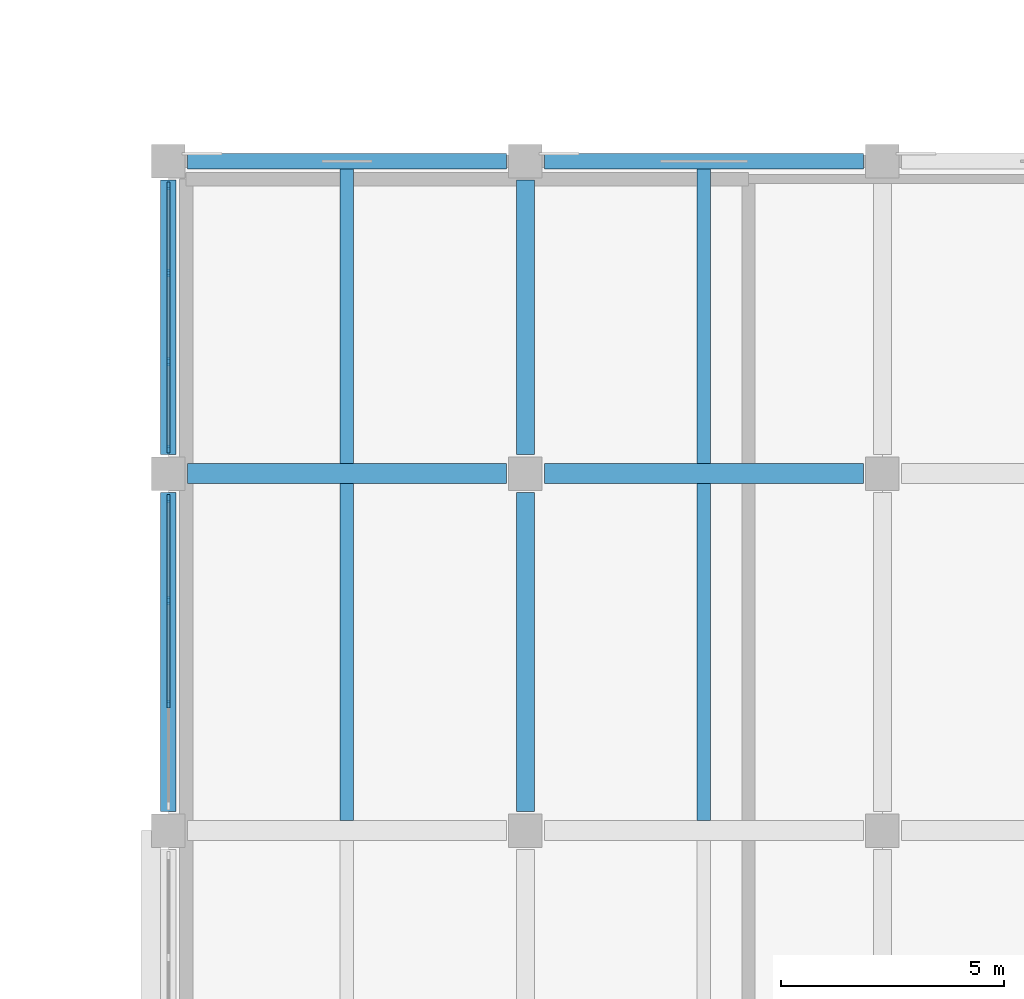
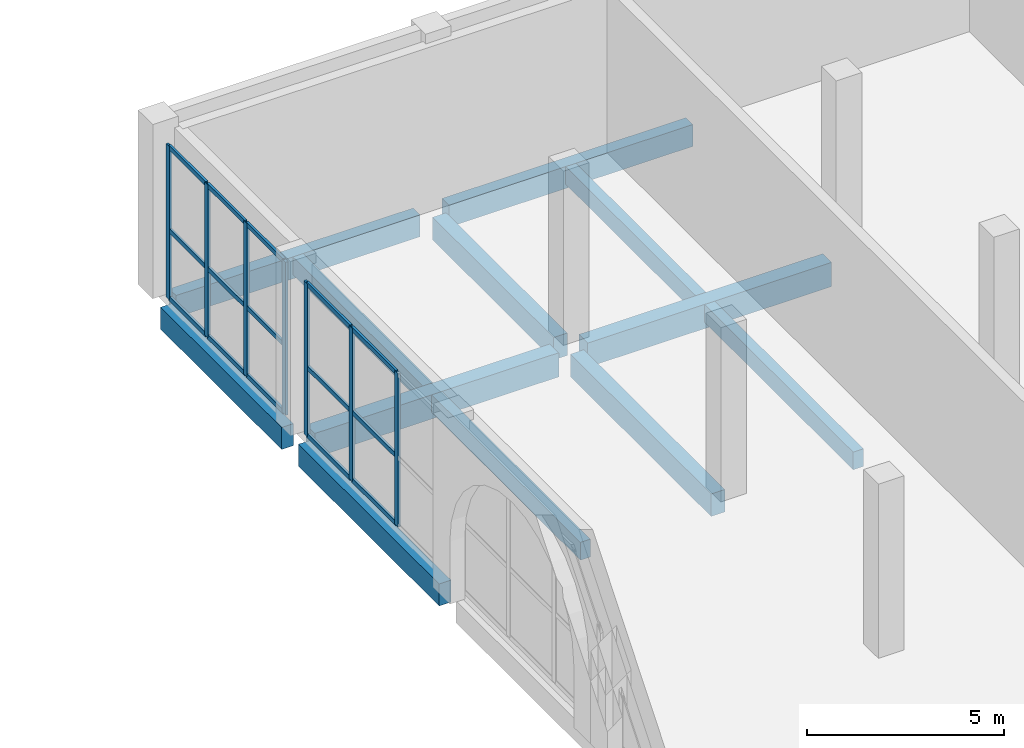
# One storey, part 11 of 40: 22 members, 12 beams, 2 elements without a shape of their own.
"""IFC4 building model written with IfcOpenShell, lengths in metres."""

from ifc_helpers import new_model, si_unit, direction, frame, origin, origin_2d, place, context, subcontext, project, spatial, rectangle, extrude, material, layer, layer_set, material_profile, profile_set, type_object, element, aggregate, save


model = new_model("IFC4")

# Units and contexts
model_context = context("Model", 3, precision=1e-05, world=origin(), true_north=direction((0.0, 1.0)))
body_context = subcontext(model_context, "Body", "Model", "MODEL_VIEW")
ifc_project = project(units=[si_unit("LENGTHUNIT", "METRE"), si_unit("AREAUNIT", "SQUARE_METRE"), si_unit("VOLUMEUNIT", "CUBIC_METRE"), si_unit("PLANEANGLEUNIT", "RADIAN"), si_unit("MASSUNIT", "GRAM", prefix="KILO")], contexts=[model_context])

# Site, building, storey
site_placement = place(None, origin())
site = spatial("IfcSite", under=ifc_project, at=site_placement, CompositionType="ELEMENT")
building_placement = place(site_placement, origin())
building = spatial("IfcBuilding", under=site, at=building_placement, Name="Qorikala Patio Media Centre", CompositionType="ELEMENT")
storey_placement = place(building_placement, origin())
storey = spatial("IfcBuildingStorey", under=building, at=storey_placement, Name="L00", CompositionType="ELEMENT", Elevation=0.0)

# Beams
ifc_material_1 = material(Name="Concrete C35/45", Category="concrete")
ifc_material_profile_1 = material_profile(ifc_material_1, rectangle(XDim=0.39990234375, YDim=0.699951171875, at=origin_2d()), Name="RC 400x700")
ifc_profile_set_1 = profile_set([ifc_material_profile_1], Name="Concrete C35/45")
beam_type_1 = type_object("IfcBeamType", Name="BM-G400X700", PredefinedType="BEAM", material=ifc_profile_set_1)
beam_1_placement = place(storey_placement, frame((59.0, 96.425048828125, -0.64990234375), z_axis=(0.0, 1.0, 0.0), x_axis=(-1.0, 0.0, 0.0)))
element("IfcBeam", 1, at=beam_1_placement, inside=storey, type_object=beam_type_1, Name="L00 Grid X=59 Beam 0243", PredefinedType="BEAM", context=body_context, shape_type="SweptSolid", body=[
    extrude(rectangle(XDim=0.39990234375, YDim=0.699951171875, at=origin_2d()), origin(), (0.0, 0.0, 1.0), 7.14990234375),
])
beam_2_placement = place(storey_placement, frame((59.0, 104.425048828125, -0.64990234375), z_axis=(0.0, 1.0, 0.0), x_axis=(-1.0, 0.0, 0.0)))
element("IfcBeam", 2, at=beam_2_placement, inside=storey, type_object=beam_type_1, Name="L00 Grid X=59 Beam 0244", PredefinedType="BEAM", context=body_context, shape_type="SweptSolid", body=[
    extrude(rectangle(XDim=0.39990234375, YDim=0.699951171875, at=origin_2d()), origin(), (0.0, 0.0, 1.0), 6.14990234375),
])
ifc_material_profile_2 = material_profile(ifc_material_1, rectangle(XDim=0.449951171875, YDim=0.75, at=origin_2d()), Name="RC 450x750")
ifc_profile_set_2 = profile_set([ifc_material_profile_2], Name="Concrete C35/45")
beam_type_2 = type_object("IfcBeamType", Name="BM-G450X750", PredefinedType="BEAM", material=ifc_profile_set_2)
for number, where, z_axis, x_axis, name in (
    (3, (51.425048828125, 104.0, -0.675048828125), (1.0, 0.0, 0.0), (0.0, 1.0, 0.0), "L00 Grid 104 Beam 0145"),
    (4, (59.425048828125, 104.0, -0.675048828125), (1.0, 0.0, 0.0), (0.0, 1.0, 0.0), "L00 Grid 104 Beam 0146"),
):
    element("IfcBeam", number, at=place(storey_placement, frame(where, z_axis=z_axis, x_axis=x_axis)), inside=storey, type_object=beam_type_2, Name=name, PredefinedType="BEAM", context=body_context, shape_type="SweptSolid", body=[
        extrude(rectangle(XDim=0.449951171875, YDim=0.75, at=origin_2d()), origin(), (0.0, 0.0, 1.0), 7.14990234375),
    ])

# Curtain wall, members
ifc_material_2 = material(Name="Bronze Anodised Aluminium and Low-E Glass", Category="aluminium")
ifc_layer_1 = layer(ifc_material_2, 0.159912109375)
ifc_layer_set_1 = layer_set([ifc_layer_1], Name="Bronze Anodised Aluminium and Low-E Glass")
curtain_wall_type_1 = type_object("IfcCurtainWallType", Name="CW-PAT-696X475", PredefinedType="USERDEFINED", material=ifc_layer_set_1)
curtain_wall_1_placement = place(storey_placement, origin())
curtain_wall_1 = element("IfcCurtainWall", 5, at=curtain_wall_1_placement, inside=storey, type_object=curtain_wall_type_1, Name="L00 Courtyard Curtain Wall 013", ObjectType="COURTYARD CURTAIN WALL", PredefinedType="USERDEFINED")
ifc_material_3 = material(Name="Bronze Anodised Aluminium", Category="aluminium")
ifc_material_profile_3 = material_profile(ifc_material_3, rectangle(XDim=0.070068359375, YDim=0.179931640625, at=origin_2d()), Name="ALU MULLION 70x180")
ifc_profile_set_3 = profile_set([ifc_material_profile_3], Name="Bronze Anodised Aluminium")
member_type_1 = type_object("IfcMemberType", Name="CWM-70X180", PredefinedType="MULLION", material=ifc_profile_set_3)
member_1_placement = place(storey_placement, frame((51.0, 98.840087890625, 0.0), z_axis=(0.0, 0.0, 1.0), x_axis=(-1.0, 0.0, 0.0)))
member_1 = element("IfcMember", 6, at=member_1_placement, type_object=member_type_1, Name="CWP696475 mullion 2", PredefinedType="MULLION", context=body_context, shape_type="SweptSolid", body=[
    extrude(rectangle(XDim=0.070068359375, YDim=0.179931640625, at=origin_2d()), origin(), (0.0, 0.0, 1.0), 4.75),
])
member_2_placement = place(storey_placement, frame((51.0, 101.159912109375, 0.0), z_axis=(0.0, 0.0, 1.0), x_axis=(-1.0, 0.0, 0.0)))
member_2 = element("IfcMember", 7, at=member_2_placement, type_object=member_type_1, Name="CWP696475 mullion 3", PredefinedType="MULLION", context=body_context, shape_type="SweptSolid", body=[
    extrude(rectangle(XDim=0.070068359375, YDim=0.179931640625, at=origin_2d()), origin(), (0.0, 0.0, 1.0), 4.75),
])
member_3_placement = place(storey_placement, frame((51.0, 103.445068359375, 0.0), z_axis=(0.0, 0.0, 1.0), x_axis=(-1.0, 0.0, 0.0)))
member_3 = element("IfcMember", 8, at=member_3_placement, type_object=member_type_1, Name="CWP696475 mullion 4", PredefinedType="MULLION", context=body_context, shape_type="SweptSolid", body=[
    extrude(rectangle(XDim=0.070068359375, YDim=0.179931640625, at=origin_2d()), origin(), (0.0, 0.0, 1.0), 4.75),
])

ifc_layer_2 = layer(ifc_material_2, 0.159912109375)
ifc_layer_set_2 = layer_set([ifc_layer_2], Name="Bronze Anodised Aluminium and Low-E Glass")
curtain_wall_type_2 = type_object("IfcCurtainWallType", Name="CW-PAT-596X475", PredefinedType="USERDEFINED", material=ifc_layer_set_2)
curtain_wall_2_placement = place(storey_placement, origin())
curtain_wall_2 = element("IfcCurtainWall", 9, at=curtain_wall_2_placement, inside=storey, type_object=curtain_wall_type_2, Name="L00 Courtyard Curtain Wall 014", ObjectType="COURTYARD CURTAIN WALL", PredefinedType="USERDEFINED")
member_4_placement = place(storey_placement, frame((51.0, 104.554931640625, 0.0), z_axis=(0.0, 0.0, 1.0), x_axis=(-1.0, 0.0, 0.0)))
member_4 = element("IfcMember", 10, at=member_4_placement, type_object=member_type_1, Name="CWP596475 mullion 1", PredefinedType="MULLION", context=body_context, shape_type="SweptSolid", body=[
    extrude(rectangle(XDim=0.070068359375, YDim=0.179931640625, at=origin_2d()), origin(), (0.0, 0.0, 1.0), 4.75),
])
member_5_placement = place(storey_placement, frame((51.0, 106.506591796875, 0.0), z_axis=(0.0, 0.0, 1.0), x_axis=(-1.0, 0.0, 0.0)))
member_5 = element("IfcMember", 11, at=member_5_placement, type_object=member_type_1, Name="CWP596475 mullion 2", PredefinedType="MULLION", context=body_context, shape_type="SweptSolid", body=[
    extrude(rectangle(XDim=0.070068359375, YDim=0.179931640625, at=origin_2d()), origin(), (0.0, 0.0, 1.0), 4.75),
])
member_6_placement = place(storey_placement, frame((51.0, 108.493408203125, 0.0), z_axis=(0.0, 0.0, 1.0), x_axis=(-1.0, 0.0, 0.0)))
member_6 = element("IfcMember", 12, at=member_6_placement, type_object=member_type_1, Name="CWP596475 mullion 3", PredefinedType="MULLION", context=body_context, shape_type="SweptSolid", body=[
    extrude(rectangle(XDim=0.070068359375, YDim=0.179931640625, at=origin_2d()), origin(), (0.0, 0.0, 1.0), 4.75),
])
member_7_placement = place(storey_placement, frame((51.0, 110.445068359375, 0.0), z_axis=(0.0, 0.0, 1.0), x_axis=(-1.0, 0.0, 0.0)))
member_7 = element("IfcMember", 13, at=member_7_placement, type_object=member_type_1, Name="CWP596475 mullion 4", PredefinedType="MULLION", context=body_context, shape_type="SweptSolid", body=[
    extrude(rectangle(XDim=0.070068359375, YDim=0.179931640625, at=origin_2d()), origin(), (0.0, 0.0, 1.0), 4.75),
])

# Member
ifc_material_profile_4 = material_profile(ifc_material_3, rectangle(XDim=0.070068359375, YDim=0.139892578125, at=origin_2d()), Name="ALU TRANSOM 70x140")
ifc_profile_set_4 = profile_set([ifc_material_profile_4], Name="Bronze Anodised Aluminium")
member_type_2 = type_object("IfcMemberType", Name="CWT-70X140", PredefinedType="USERDEFINED", material=ifc_profile_set_4)
member_8_placement = place(storey_placement, frame((51.0, 98.875, 0.034912109375), z_axis=(0.0, 1.0, 0.0), x_axis=(-1.0, 0.0, 0.0)))
member_8 = element("IfcMember", 14, at=member_8_placement, type_object=member_type_2, Name="CWP696475 transom 2.1", ObjectType="TRANSOM", PredefinedType="USERDEFINED", context=body_context, shape_type="SweptSolid", body=[
    extrude(rectangle(XDim=0.070068359375, YDim=0.139892578125, at=origin_2d()), origin(), (0.0, 0.0, 1.0), 2.25),
])

member_9_placement = place(storey_placement, frame((51.0, 98.875, 2.137451171875), z_axis=(0.0, 1.0, 0.0), x_axis=(-1.0, 0.0, 0.0)))
member_9 = element("IfcMember", 15, at=member_9_placement, type_object=member_type_2, Name="CWP696475 transom 2.2", ObjectType="TRANSOM", PredefinedType="USERDEFINED", context=body_context, shape_type="SweptSolid", body=[
    extrude(rectangle(XDim=0.070068359375, YDim=0.139892578125, at=origin_2d()), origin(), (0.0, 0.0, 1.0), 2.25),
])

member_10_placement = place(storey_placement, frame((51.0, 98.875, 4.715087890625), z_axis=(0.0, 1.0, 0.0), x_axis=(-1.0, 0.0, 0.0)))
member_10 = element("IfcMember", 16, at=member_10_placement, type_object=member_type_2, Name="CWP696475 transom 2.3", ObjectType="TRANSOM", PredefinedType="USERDEFINED", context=body_context, shape_type="SweptSolid", body=[
    extrude(rectangle(XDim=0.070068359375, YDim=0.139892578125, at=origin_2d()), origin(), (0.0, 0.0, 1.0), 2.25),
])

member_11_placement = place(storey_placement, frame((51.0, 101.195068359375, 0.034912109375), z_axis=(0.0, 1.0, 0.0), x_axis=(-1.0, 0.0, 0.0)))
member_11 = element("IfcMember", 17, at=member_11_placement, type_object=member_type_2, Name="CWP696475 transom 3.1", ObjectType="TRANSOM", PredefinedType="USERDEFINED", context=body_context, shape_type="SweptSolid", body=[
    extrude(rectangle(XDim=0.070068359375, YDim=0.139892578125, at=origin_2d()), origin(), (0.0, 0.0, 1.0), 2.21484375),
])

member_12_placement = place(storey_placement, frame((51.0, 101.195068359375, 2.137451171875), z_axis=(0.0, 1.0, 0.0), x_axis=(-1.0, 0.0, 0.0)))
member_12 = element("IfcMember", 18, at=member_12_placement, type_object=member_type_2, Name="CWP696475 transom 3.2", ObjectType="TRANSOM", PredefinedType="USERDEFINED", context=body_context, shape_type="SweptSolid", body=[
    extrude(rectangle(XDim=0.070068359375, YDim=0.139892578125, at=origin_2d()), origin(), (0.0, 0.0, 1.0), 2.21484375),
])

member_13_placement = place(storey_placement, frame((51.0, 101.195068359375, 4.715087890625), z_axis=(0.0, 1.0, 0.0), x_axis=(-1.0, 0.0, 0.0)))
member_13 = element("IfcMember", 19, at=member_13_placement, type_object=member_type_2, Name="CWP696475 transom 3.3", ObjectType="TRANSOM", PredefinedType="USERDEFINED", context=body_context, shape_type="SweptSolid", body=[
    extrude(rectangle(XDim=0.070068359375, YDim=0.139892578125, at=origin_2d()), origin(), (0.0, 0.0, 1.0), 2.21484375),
])

aggregate(curtain_wall_1, [member_1, member_2, member_3, member_8, member_9, member_10, member_11, member_12, member_13])

member_14_placement = place(storey_placement, frame((51.0, 104.590087890625, 0.034912109375), z_axis=(0.0, 1.0, 0.0), x_axis=(-1.0, 0.0, 0.0)))
member_14 = element("IfcMember", 20, at=member_14_placement, type_object=member_type_2, Name="CWP596475 transom 1.1", ObjectType="TRANSOM", PredefinedType="USERDEFINED", context=body_context, shape_type="SweptSolid", body=[
    extrude(rectangle(XDim=0.070068359375, YDim=0.139892578125, at=origin_2d()), origin(), (0.0, 0.0, 1.0), 1.881591796875),
])

member_15_placement = place(storey_placement, frame((51.0, 104.590087890625, 2.137451171875), z_axis=(0.0, 1.0, 0.0), x_axis=(-1.0, 0.0, 0.0)))
member_15 = element("IfcMember", 21, at=member_15_placement, type_object=member_type_2, Name="CWP596475 transom 1.2", ObjectType="TRANSOM", PredefinedType="USERDEFINED", context=body_context, shape_type="SweptSolid", body=[
    extrude(rectangle(XDim=0.070068359375, YDim=0.139892578125, at=origin_2d()), origin(), (0.0, 0.0, 1.0), 1.881591796875),
])

member_16_placement = place(storey_placement, frame((51.0, 104.590087890625, 4.715087890625), z_axis=(0.0, 1.0, 0.0), x_axis=(-1.0, 0.0, 0.0)))
member_16 = element("IfcMember", 22, at=member_16_placement, type_object=member_type_2, Name="CWP596475 transom 1.3", ObjectType="TRANSOM", PredefinedType="USERDEFINED", context=body_context, shape_type="SweptSolid", body=[
    extrude(rectangle(XDim=0.070068359375, YDim=0.139892578125, at=origin_2d()), origin(), (0.0, 0.0, 1.0), 1.881591796875),
])

member_17_placement = place(storey_placement, frame((51.0, 106.541748046875, 0.034912109375), z_axis=(0.0, 1.0, 0.0), x_axis=(-1.0, 0.0, 0.0)))
member_17 = element("IfcMember", 23, at=member_17_placement, type_object=member_type_2, Name="CWP596475 transom 2.1", ObjectType="TRANSOM", PredefinedType="USERDEFINED", context=body_context, shape_type="SweptSolid", body=[
    extrude(rectangle(XDim=0.070068359375, YDim=0.139892578125, at=origin_2d()), origin(), (0.0, 0.0, 1.0), 1.91650390625),
])

member_18_placement = place(storey_placement, frame((51.0, 106.541748046875, 2.137451171875), z_axis=(0.0, 1.0, 0.0), x_axis=(-1.0, 0.0, 0.0)))
member_18 = element("IfcMember", 24, at=member_18_placement, type_object=member_type_2, Name="CWP596475 transom 2.2", ObjectType="TRANSOM", PredefinedType="USERDEFINED", context=body_context, shape_type="SweptSolid", body=[
    extrude(rectangle(XDim=0.070068359375, YDim=0.139892578125, at=origin_2d()), origin(), (0.0, 0.0, 1.0), 1.91650390625),
])

member_19_placement = place(storey_placement, frame((51.0, 106.541748046875, 4.715087890625), z_axis=(0.0, 1.0, 0.0), x_axis=(-1.0, 0.0, 0.0)))
member_19 = element("IfcMember", 25, at=member_19_placement, type_object=member_type_2, Name="CWP596475 transom 2.3", ObjectType="TRANSOM", PredefinedType="USERDEFINED", context=body_context, shape_type="SweptSolid", body=[
    extrude(rectangle(XDim=0.070068359375, YDim=0.139892578125, at=origin_2d()), origin(), (0.0, 0.0, 1.0), 1.91650390625),
])

member_20_placement = place(storey_placement, frame((51.0, 108.5283203125, 0.034912109375), z_axis=(0.0, 1.0, 0.0), x_axis=(-1.0, 0.0, 0.0)))
member_20 = element("IfcMember", 26, at=member_20_placement, type_object=member_type_2, Name="CWP596475 transom 3.1", ObjectType="TRANSOM", PredefinedType="USERDEFINED", context=body_context, shape_type="SweptSolid", body=[
    extrude(rectangle(XDim=0.070068359375, YDim=0.139892578125, at=origin_2d()), origin(), (0.0, 0.0, 1.0), 1.881591796875),
])

member_21_placement = place(storey_placement, frame((51.0, 108.5283203125, 2.137451171875), z_axis=(0.0, 1.0, 0.0), x_axis=(-1.0, 0.0, 0.0)))
member_21 = element("IfcMember", 27, at=member_21_placement, type_object=member_type_2, Name="CWP596475 transom 3.2", ObjectType="TRANSOM", PredefinedType="USERDEFINED", context=body_context, shape_type="SweptSolid", body=[
    extrude(rectangle(XDim=0.070068359375, YDim=0.139892578125, at=origin_2d()), origin(), (0.0, 0.0, 1.0), 1.881591796875),
])

member_22_placement = place(storey_placement, frame((51.0, 108.5283203125, 4.715087890625), z_axis=(0.0, 1.0, 0.0), x_axis=(-1.0, 0.0, 0.0)))
member_22 = element("IfcMember", 28, at=member_22_placement, type_object=member_type_2, Name="CWP596475 transom 3.3", ObjectType="TRANSOM", PredefinedType="USERDEFINED", context=body_context, shape_type="SweptSolid", body=[
    extrude(rectangle(XDim=0.070068359375, YDim=0.139892578125, at=origin_2d()), origin(), (0.0, 0.0, 1.0), 1.881591796875),
])

aggregate(curtain_wall_2, [member_4, member_5, member_6, member_7, member_14, member_15, member_16, member_17, member_18, member_19, member_20, member_21, member_22])

# Beams
ifc_material_profile_5 = material_profile(ifc_material_1, rectangle(XDim=0.300048828125, YDim=0.550048828125, at=origin_2d()), Name="RC 300x550")
ifc_profile_set_5 = profile_set([ifc_material_profile_5], Name="Concrete C35/45")
beam_type_3 = type_object("IfcBeamType", Name="JS-300X550", PredefinedType="JOIST", material=ifc_profile_set_5)
beam_3_placement = place(storey_placement, frame((55.0, 96.22509765625, -0.574951171875), z_axis=(0.0, 1.0, 0.0), x_axis=(-1.0, 0.0, 0.0)))
element("IfcBeam", 29, at=beam_3_placement, inside=storey, type_object=beam_type_3, Name="L00 Secondary Joist 0351", PredefinedType="JOIST", context=body_context, shape_type="SweptSolid", body=[
    extrude(rectangle(XDim=0.300048828125, YDim=0.550048828125, at=origin_2d()), origin(), (0.0, 0.0, 1.0), 7.5498046875),
])
beam_4_placement = place(storey_placement, frame((55.0, 104.22509765625, -0.574951171875), z_axis=(0.0, 1.0, 0.0), x_axis=(-1.0, 0.0, 0.0)))
element("IfcBeam", 30, at=beam_4_placement, inside=storey, type_object=beam_type_3, Name="L00 Secondary Joist 0352", PredefinedType="JOIST", context=body_context, shape_type="SweptSolid", body=[
    extrude(rectangle(XDim=0.300048828125, YDim=0.550048828125, at=origin_2d()), origin(), (0.0, 0.0, 1.0), 6.599853515625),
])
beam_5_placement = place(storey_placement, frame((63.0, 96.22509765625, -0.574951171875), z_axis=(0.0, 1.0, 0.0), x_axis=(-1.0, 0.0, 0.0)))
element("IfcBeam", 31, at=beam_5_placement, inside=storey, type_object=beam_type_3, Name="L00 Secondary Joist 0359", PredefinedType="JOIST", context=body_context, shape_type="SweptSolid", body=[
    extrude(rectangle(XDim=0.300048828125, YDim=0.550048828125, at=origin_2d()), origin(), (0.0, 0.0, 1.0), 7.5498046875),
])
beam_6_placement = place(storey_placement, frame((63.0, 104.22509765625, -0.574951171875), z_axis=(0.0, 1.0, 0.0), x_axis=(-1.0, 0.0, 0.0)))
element("IfcBeam", 32, at=beam_6_placement, inside=storey, type_object=beam_type_3, Name="L00 Secondary Joist 0360", PredefinedType="JOIST", context=body_context, shape_type="SweptSolid", body=[
    extrude(rectangle(XDim=0.300048828125, YDim=0.550048828125, at=origin_2d()), origin(), (0.0, 0.0, 1.0), 6.599853515625),
])
ifc_material_profile_6 = material_profile(ifc_material_1, rectangle(XDim=0.35009765625, YDim=0.679931640625, at=origin_2d()), Name="RC 350x680")
ifc_profile_set_6 = profile_set([ifc_material_profile_6], Name="Concrete C35/45")
beam_type_4 = type_object("IfcBeamType", Name="SP-350X680", PredefinedType="SPANDREL", material=ifc_profile_set_6)
for number, where, z_axis, x_axis, name in (
    (33, (51.425048828125, 111.0, -0.639892578125), (1.0, 0.0, 0.0), (0.0, 1.0, 0.0), "L00 Grid 111 Beam 0151"),
    (34, (59.425048828125, 111.0, -0.639892578125), (1.0, 0.0, 0.0), (0.0, 1.0, 0.0), "L00 Grid 111 Beam 0152"),
    (35, (51.0, 96.425048828125, -0.639892578125), (0.0, 1.0, 0.0), (-1.0, 0.0, 0.0), "L00 Grid X=51 Beam 0235"),
):
    element("IfcBeam", number, at=place(storey_placement, frame(where, z_axis=z_axis, x_axis=x_axis)), inside=storey, type_object=beam_type_4, Name=name, PredefinedType="SPANDREL", context=body_context, shape_type="SweptSolid", body=[
        extrude(rectangle(XDim=0.35009765625, YDim=0.679931640625, at=origin_2d()), origin(), (0.0, 0.0, 1.0), 7.14990234375),
    ])
beam_7_placement = place(storey_placement, frame((51.0, 104.425048828125, -0.639892578125), z_axis=(0.0, 1.0, 0.0), x_axis=(-1.0, 0.0, 0.0)))
element("IfcBeam", 36, at=beam_7_placement, inside=storey, type_object=beam_type_4, Name="L00 Grid X=51 Beam 0236", PredefinedType="SPANDREL", context=body_context, shape_type="SweptSolid", body=[
    extrude(rectangle(XDim=0.35009765625, YDim=0.679931640625, at=origin_2d()), origin(), (0.0, 0.0, 1.0), 6.14990234375),
])

save(model, "model.ifc")
